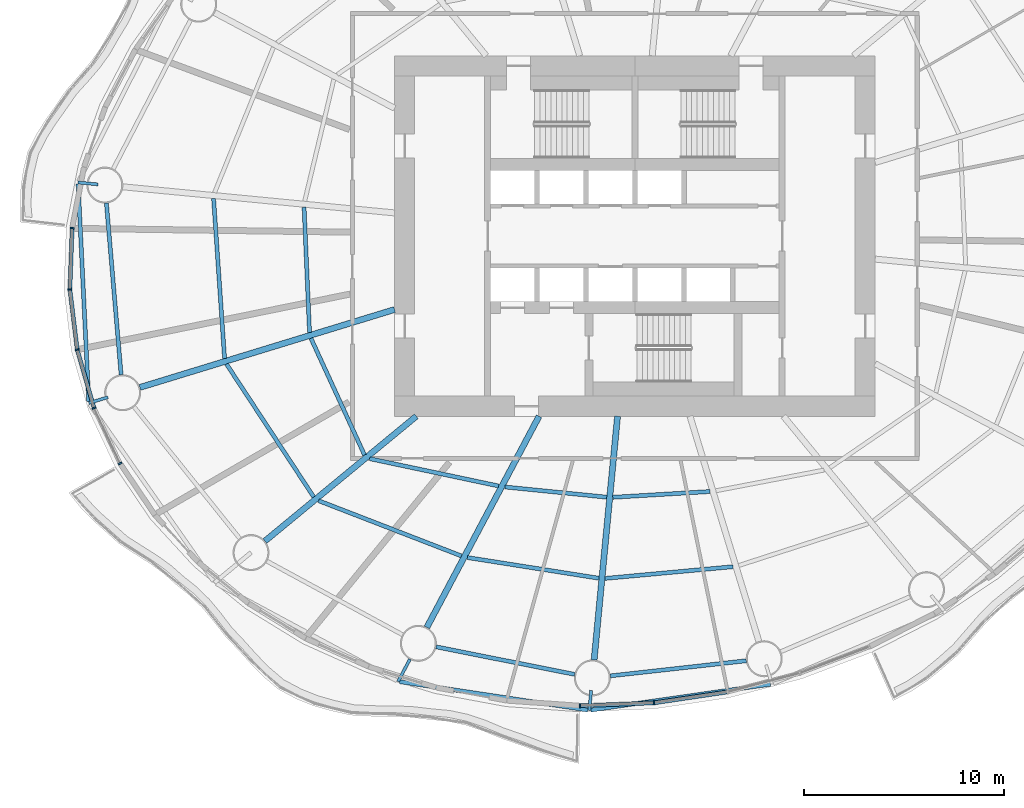
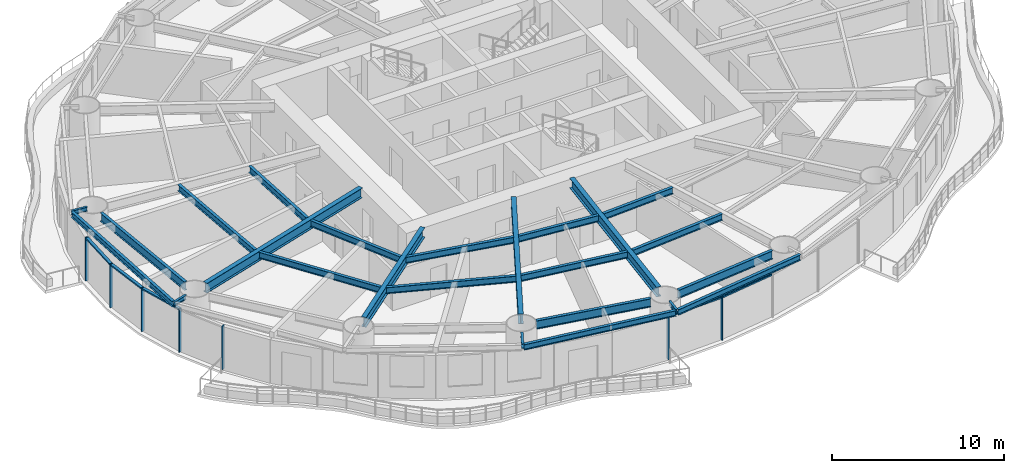
# One storey, part 2 of 16: 24 beams, 12 members, 6 elements without a shape of their own.
"""IFC4 building model written with IfcOpenShell, lengths in metres."""

from ifc_helpers import new_model, si_unit, direction, frame, origin, origin_2d, place, context, subcontext, project, spatial, rectangle, i_section, extrude, material, material_profile, profile_set, type_object, element, aggregate, save


model = new_model("IFC4")

# Units and contexts
model_context = context("Model", 3, precision=1e-05, world=origin(), true_north=direction((0.0, 1.0)))
body_context = subcontext(model_context, "Body", "Model", "MODEL_VIEW")
ifc_project = project(units=[si_unit("LENGTHUNIT", "METRE"), si_unit("AREAUNIT", "SQUARE_METRE"), si_unit("VOLUMEUNIT", "CUBIC_METRE"), si_unit("PLANEANGLEUNIT", "RADIAN"), si_unit("MASSUNIT", "GRAM", prefix="KILO")], contexts=[model_context])

# Site, building, storey
site_placement = place(None, origin())
site = spatial("IfcSite", under=ifc_project, at=site_placement, CompositionType="ELEMENT")
building_placement = place(site_placement, origin())
building = spatial("IfcBuilding", under=site, at=building_placement, Name="Vermilion Reach Broadcast Tower", CompositionType="ELEMENT")
storey_placement = place(building_placement, frame((0.0, 0.0, 80.39990234375)))
storey = spatial("IfcBuildingStorey", under=building, at=storey_placement, Name="L17", CompositionType="ELEMENT", Elevation=80.39990234375)

# Beams
ifc_material_1 = material(Name="Steel S355J2", Category="steel")
ifc_material_profile_1 = material_profile(ifc_material_1, i_section(OverallWidth=0.199951171875, OverallDepth=0.39990234375, WebThickness=0.008056640625, FlangeThickness=0.012939453125, at=origin_2d()), Name="S355J2 HN 400x200x8x13")
ifc_profile_set_1 = profile_set([ifc_material_profile_1], Name="Steel S355J2")
beam_type_1 = type_object("IfcBeamType", Name="EB1 HN 400x200x8x13", PredefinedType="BEAM", material=ifc_profile_set_1)
beam_1_placement = place(storey_placement, frame((-33.798583984375, 2.596435546875, 3.300048828125), z_axis=(0.048861332348, -0.998805571771, 0.0), x_axis=(0.998805571771, 0.048861332348, 0.0)))
element("IfcBeam", 1, at=beam_1_placement, inside=storey, type_object=beam_type_1, Name="Edge beam EB1-08", PredefinedType="BEAM", context=body_context, shape_type="SweptSolid", body=[
    extrude(i_section(OverallWidth=0.199951171875, OverallDepth=0.39990234375, WebThickness=0.008056640625, FlangeThickness=0.012939453125, at=origin_2d()), origin(), (0.0, 0.0, 1.0), 10.87255859375),
])
beam_2_placement = place(storey_placement, frame((-17.742431640625, -22.253173828125, 3.300048828125), z_axis=(0.988786343187, -0.149337093606, 0.0), x_axis=(0.149337093606, 0.988786343187, 0.0)))
element("IfcBeam", 2, at=beam_2_placement, inside=storey, type_object=beam_type_1, Name="Edge beam EB1-11", PredefinedType="BEAM", context=body_context, shape_type="SweptSolid", body=[
    extrude(i_section(OverallWidth=0.199951171875, OverallDepth=0.39990234375, WebThickness=0.008056640625, FlangeThickness=0.012939453125, at=origin_2d()), origin(), (0.0, 0.0, 1.0), 9.498291015625),
])
beam_3_placement = place(storey_placement, frame((-8.199951171875, -23.671875, 3.300048828125), z_axis=(0.989796952398, 0.142485062457, 0.0), x_axis=(-0.142485062457, 0.989796952398, 0.0)))
element("IfcBeam", 3, at=beam_3_placement, inside=storey, type_object=beam_type_1, Name="Edge beam EB1-12", PredefinedType="BEAM", context=body_context, shape_type="SweptSolid", body=[
    extrude(i_section(OverallWidth=0.199951171875, OverallDepth=0.39990234375, WebThickness=0.008056640625, FlangeThickness=0.012939453125, at=origin_2d()), origin(), (0.0, 0.0, 1.0), 9.060791015625),
])
ifc_material_2 = material(Name="Steel S355J2", Category="steel")
ifc_material_profile_2 = material_profile(ifc_material_2, i_section(OverallWidth=0.300048828125, OverallDepth=0.699951171875, WebThickness=0.012939453125, FlangeThickness=0.02392578125, at=origin_2d()), Name="S355J2 HN 700x300x13x24")
ifc_profile_set_2 = profile_set([ifc_material_profile_2], Name="Steel S355J2")
beam_type_2 = type_object("IfcBeamType", Name="G1 HN 700x300x13x24", PredefinedType="BEAM", material=ifc_profile_set_2)
beam_4_placement = place(storey_placement, frame((-18.0, -3.671142578125, 3.150146484375), z_axis=(-0.956255735186, -0.292531996409, 0.0), x_axis=(0.292531996409, -0.956255735186, 0.0)))
element("IfcBeam", 4, at=beam_4_placement, inside=storey, type_object=beam_type_2, Name="Girder G1-09", PredefinedType="BEAM", context=body_context, shape_type="SweptSolid", body=[
    extrude(i_section(OverallWidth=0.300048828125, OverallDepth=0.699951171875, WebThickness=0.012939453125, FlangeThickness=0.02392578125, at=origin_2d()), origin(), (0.0, 0.0, 1.0), 13.29638671875),
])
beam_5_placement = place(storey_placement, frame((-16.9140625, -9.0, 3.150146484375), z_axis=(-0.771514256373, -0.636212034005, 0.0), x_axis=(0.636212034005, -0.771514256373, 0.0)))
element("IfcBeam", 5, at=beam_5_placement, inside=storey, type_object=beam_type_2, Name="Girder G1-10", PredefinedType="BEAM", context=body_context, shape_type="SweptSolid", body=[
    extrude(i_section(OverallWidth=0.300048828125, OverallDepth=0.699951171875, WebThickness=0.012939453125, FlangeThickness=0.02392578125, at=origin_2d()), origin(), (0.0, 0.0, 1.0), 9.796142578125),
])
beam_6_placement = place(storey_placement, frame((-10.783447265625, -9.0, 3.150146484375), z_axis=(-0.469312182262, -0.883032318537, 0.0), x_axis=(0.883032318537, -0.469312182262, 0.0)))
element("IfcBeam", 6, at=beam_6_placement, inside=storey, type_object=beam_type_2, Name="Girder G1-11", PredefinedType="BEAM", context=body_context, shape_type="SweptSolid", body=[
    extrude(i_section(OverallWidth=0.300048828125, OverallDepth=0.699951171875, WebThickness=0.012939453125, FlangeThickness=0.02392578125, at=origin_2d()), origin(), (0.0, 0.0, 1.0), 11.94091796875),
])
beam_7_placement = place(storey_placement, frame((-6.864990234375, -9.0, 3.150146484375), z_axis=(-0.09566673912, -0.995413419151, 0.0), x_axis=(0.995413419151, -0.09566673912, 0.0)))
element("IfcBeam", 7, at=beam_7_placement, inside=storey, type_object=beam_type_2, Name="Girder G1-12", PredefinedType="BEAM", context=body_context, shape_type="SweptSolid", body=[
    extrude(i_section(OverallWidth=0.300048828125, OverallDepth=0.699951171875, WebThickness=0.012939453125, FlangeThickness=0.02392578125, at=origin_2d()), origin(), (0.0, 0.0, 1.0), 12.22412109375),
])
ifc_material_3 = material(Name="Steel S355J2", Category="steel")
ifc_material_profile_3 = material_profile(ifc_material_3, i_section(OverallWidth=0.14990234375, OverallDepth=0.300048828125, WebThickness=0.006591796875, FlangeThickness=0.009033203125, at=origin_2d()), Name="S355J2 HN 300x150x6.5x9")
ifc_profile_set_3 = profile_set([ifc_material_profile_3], Name="Steel S355J2")
beam_type_3 = type_object("IfcBeamType", Name="GS1 HN 300x150x6.5x9", PredefinedType="BEAM", material=ifc_profile_set_3)
beam_8_placement = place(storey_placement, frame((-32.806884765625, 2.576416015625, 3.35009765625), z_axis=(-0.995411712034, 0.095684500029, 0.0), x_axis=(-0.095684500029, -0.995411712034, 0.0)))
element("IfcBeam", 8, at=beam_8_placement, inside=storey, type_object=beam_type_3, Name="Cantilever stub GS1-08", PredefinedType="BEAM", context=body_context, shape_type="SweptSolid", body=[
    extrude(i_section(OverallWidth=0.14990234375, OverallDepth=0.300048828125, WebThickness=0.006591796875, FlangeThickness=0.009033203125, at=origin_2d()), origin(), (0.0, 0.0, 1.0), 1.000244140625),
])
beam_9_placement = place(storey_placement, frame((-32.307373046875, -8.048095703125, 3.35009765625), z_axis=(-0.95627383467, -0.292472824594, 0.0), x_axis=(0.292472824594, -0.95627383467, 0.0)))
element("IfcBeam", 9, at=beam_9_placement, inside=storey, type_object=beam_type_3, Name="Cantilever stub GS1-09", PredefinedType="BEAM", context=body_context, shape_type="SweptSolid", body=[
    extrude(i_section(OverallWidth=0.14990234375, OverallDepth=0.300048828125, WebThickness=0.006591796875, FlangeThickness=0.009033203125, at=origin_2d()), origin(), (0.0, 0.0, 1.0), 1.0),
])
beam_10_placement = place(storey_placement, frame((-17.232177734375, -21.1337890625, 3.35009765625), z_axis=(-0.469416078172, -0.882977092315, 0.0), x_axis=(0.882977092315, -0.469416078172, 0.0)))
element("IfcBeam", 10, at=beam_10_placement, inside=storey, type_object=beam_type_3, Name="Cantilever stub GS1-11", PredefinedType="BEAM", context=body_context, shape_type="SweptSolid", body=[
    extrude(i_section(OverallWidth=0.14990234375, OverallDepth=0.300048828125, WebThickness=0.006591796875, FlangeThickness=0.009033203125, at=origin_2d()), origin(), (0.0, 0.0, 1.0), 1.25439453125),
])
beam_11_placement = place(storey_placement, frame((-8.1806640625, -22.6875, 3.35009765625), z_axis=(-0.095465829939, -0.995432707577, 0.0), x_axis=(0.995432707577, -0.095465829939, 0.0)))
element("IfcBeam", 11, at=beam_11_placement, inside=storey, type_object=beam_type_3, Name="Cantilever stub GS1-12", PredefinedType="BEAM", context=body_context, shape_type="SweptSolid", body=[
    extrude(i_section(OverallWidth=0.14990234375, OverallDepth=0.300048828125, WebThickness=0.006591796875, FlangeThickness=0.009033203125, at=origin_2d()), origin(), (0.0, 0.0, 1.0), 1.0),
])
ifc_material_4 = material(Name="Steel S355J2", Category="steel")
ifc_material_profile_4 = material_profile(ifc_material_4, i_section(OverallWidth=0.199951171875, OverallDepth=0.60009765625, WebThickness=0.010986328125, FlangeThickness=0.01708984375, at=origin_2d()), Name="S355J2 HN 600x200x11x17")
ifc_profile_set_4 = profile_set([ifc_material_profile_4], Name="Steel S355J2")
beam_type_4 = type_object("IfcBeamType", Name="RB1 HN 600x200x11x17", PredefinedType="BEAM", material=ifc_profile_set_4)
beam_12_placement = place(storey_placement, frame((-32.38720703125, 1.646728515625, 3.2001953125), z_axis=(0.085395508608, -0.996347131832, 0.0), x_axis=(0.996347131832, 0.085395508608, 0.0)))
element("IfcBeam", 12, at=beam_12_placement, inside=storey, type_object=beam_type_4, Name="Ring beam RB1-08", PredefinedType="BEAM", context=body_context, shape_type="SweptSolid", body=[
    extrude(i_section(OverallWidth=0.199951171875, OverallDepth=0.60009765625, WebThickness=0.010986328125, FlangeThickness=0.01708984375, at=origin_2d()), origin(), (0.0, 0.0, 1.0), 8.60546875),
])
beam_13_placement = place(storey_placement, frame((-15.927001953125, -20.51416015625, 3.2001953125), z_axis=(0.980857717995, -0.194725799651, 0.0), x_axis=(0.194725799651, 0.980857717995, 0.0)))
element("IfcBeam", 13, at=beam_13_placement, inside=storey, type_object=beam_type_4, Name="Ring beam RB1-11", PredefinedType="BEAM", context=body_context, shape_type="SweptSolid", body=[
    extrude(i_section(OverallWidth=0.199951171875, OverallDepth=0.60009765625, WebThickness=0.010986328125, FlangeThickness=0.01708984375, at=origin_2d()), origin(), (0.0, 0.0, 1.0), 7.05859375),
])
beam_14_placement = place(storey_placement, frame((-7.22607421875, -21.964111328125, 3.2001953125), z_axis=(0.993851439324, 0.110721798009, 0.0), x_axis=(-0.110721798009, 0.993851439324, 0.0)))
element("IfcBeam", 14, at=beam_14_placement, inside=storey, type_object=beam_type_4, Name="Ring beam RB1-12", PredefinedType="BEAM", context=body_context, shape_type="SweptSolid", body=[
    extrude(i_section(OverallWidth=0.199951171875, OverallDepth=0.60009765625, WebThickness=0.010986328125, FlangeThickness=0.01708984375, at=origin_2d()), origin(), (0.0, 0.0, 1.0), 6.8310546875),
])
ifc_material_5 = material(Name="Steel S355J2", Category="steel")
ifc_material_profile_5 = material_profile(ifc_material_5, i_section(OverallWidth=0.199951171875, OverallDepth=0.449951171875, WebThickness=0.009033203125, FlangeThickness=0.013916015625, at=origin_2d()), Name="S355J2 HN 450x200x9x14")
ifc_profile_set_5 = profile_set([ifc_material_profile_5], Name="Steel S355J2")
beam_type_5 = type_object("IfcBeamType", Name="SB1 HN 450x200x9x14", PredefinedType="BEAM", material=ifc_profile_set_5)
beam_15_placement = place(storey_placement, frame((-22.51611328125, 1.436767578125, 3.275146484375), z_axis=(0.043361007512, -0.999059469215, 0.0), x_axis=(0.999059469215, 0.043361007512, 0.0)))
element("IfcBeam", 15, at=beam_15_placement, inside=storey, type_object=beam_type_5, Name="Secondary beam SB1-08-1", PredefinedType="BEAM", context=body_context, shape_type="SweptSolid", body=[
    extrude(i_section(OverallWidth=0.199951171875, OverallDepth=0.449951171875, WebThickness=0.009033203125, FlangeThickness=0.013916015625, at=origin_2d()), origin(), (0.0, 0.0, 1.0), 6.25537109375),
])
beam_16_placement = place(storey_placement, frame((-27.03515625, 1.87109375, 3.275146484375), z_axis=(0.068507801475, -0.997650580683, 0.0), x_axis=(0.997650580683, 0.068507801475, 0.0)))
element("IfcBeam", 16, at=beam_16_placement, inside=storey, type_object=beam_type_5, Name="Secondary beam SB1-08-2", PredefinedType="BEAM", context=body_context, shape_type="SweptSolid", body=[
    extrude(i_section(OverallWidth=0.199951171875, OverallDepth=0.449951171875, WebThickness=0.009033203125, FlangeThickness=0.013916015625, at=origin_2d()), origin(), (0.0, 0.0, 1.0), 8.00048828125),
])
beam_17_placement = place(storey_placement, frame((-22.175048828125, -5.105224609375, 3.275146484375), z_axis=(0.417211452529, -0.908809443106, 0.0), x_axis=(0.908809443106, 0.417211452529, 0.0)))
element("IfcBeam", 17, at=beam_17_placement, inside=storey, type_object=beam_type_5, Name="Secondary beam SB1-09-1", PredefinedType="BEAM", context=body_context, shape_type="SweptSolid", body=[
    extrude(i_section(OverallWidth=0.199951171875, OverallDepth=0.449951171875, WebThickness=0.009033203125, FlangeThickness=0.013916015625, at=origin_2d()), origin(), (0.0, 0.0, 1.0), 6.41650390625),
])
beam_18_placement = place(storey_placement, frame((-26.390625, -6.394775390625, 3.275146484375), z_axis=(0.548800909102, -0.835953086105, 0.0), x_axis=(0.835953086105, 0.548800909102, 0.0)))
element("IfcBeam", 18, at=beam_18_placement, inside=storey, type_object=beam_type_5, Name="Secondary beam SB1-09-2", PredefinedType="BEAM", context=body_context, shape_type="SweptSolid", body=[
    extrude(i_section(OverallWidth=0.199951171875, OverallDepth=0.449951171875, WebThickness=0.009033203125, FlangeThickness=0.013916015625, at=origin_2d()), origin(), (0.0, 0.0, 1.0), 7.935791015625),
])
beam_19_placement = place(storey_placement, frame((-19.24560546875, -11.1171875, 3.275146484375), z_axis=(0.978270372412, -0.207333254596, 0.0), x_axis=(0.207333254596, 0.978270372412, 0.0)))
element("IfcBeam", 19, at=beam_19_placement, inside=storey, type_object=beam_type_5, Name="Secondary beam SB1-10-1", PredefinedType="BEAM", context=body_context, shape_type="SweptSolid", body=[
    extrude(i_section(OverallWidth=0.199951171875, OverallDepth=0.449951171875, WebThickness=0.009033203125, FlangeThickness=0.013916015625, at=origin_2d()), origin(), (0.0, 0.0, 1.0), 6.584716796875),
])
beam_20_placement = place(storey_placement, frame((-21.7919921875, -13.217041015625, 3.275146484375), z_axis=(0.932680743753, -0.360702966765, 0.0), x_axis=(0.360702966765, 0.932680743753, 0.0)))
element("IfcBeam", 20, at=beam_20_placement, inside=storey, type_object=beam_type_5, Name="Secondary beam SB1-10-2", PredefinedType="BEAM", context=body_context, shape_type="SweptSolid", body=[
    extrude(i_section(OverallWidth=0.199951171875, OverallDepth=0.449951171875, WebThickness=0.009033203125, FlangeThickness=0.013916015625, at=origin_2d()), origin(), (0.0, 0.0, 1.0), 7.646240234375),
])
beam_21_placement = place(storey_placement, frame((-12.490234375, -12.531005859375, 3.275146484375), z_axis=(0.995010199331, -0.099773259079, 0.0), x_axis=(0.099773259079, 0.995010199331, 0.0)))
element("IfcBeam", 21, at=beam_21_placement, inside=storey, type_object=beam_type_5, Name="Secondary beam SB1-11-1", PredefinedType="BEAM", context=body_context, shape_type="SweptSolid", body=[
    extrude(i_section(OverallWidth=0.199951171875, OverallDepth=0.449951171875, WebThickness=0.009033203125, FlangeThickness=0.013916015625, at=origin_2d()), origin(), (0.0, 0.0, 1.0), 5.111572265625),
])
beam_22_placement = place(storey_placement, frame((-14.36279296875, -16.05419921875, 3.275146484375), z_axis=(0.987829548379, -0.155540294938, 0.0), x_axis=(0.155540294938, 0.987829548379, 0.0)))
element("IfcBeam", 22, at=beam_22_placement, inside=storey, type_object=beam_type_5, Name="Secondary beam SB1-11-2", PredefinedType="BEAM", context=body_context, shape_type="SweptSolid", body=[
    extrude(i_section(OverallWidth=0.199951171875, OverallDepth=0.449951171875, WebThickness=0.009033203125, FlangeThickness=0.013916015625, at=origin_2d()), origin(), (0.0, 0.0, 1.0), 6.650634765625),
])
beam_23_placement = place(storey_placement, frame((-7.103271484375, -13.046875, 3.275146484375), z_axis=(0.99823410974, 0.059402543307, 0.0), x_axis=(-0.059402543307, 0.99823410974, 0.0)))
element("IfcBeam", 23, at=beam_23_placement, inside=storey, type_object=beam_type_5, Name="Secondary beam SB1-12-1", PredefinedType="BEAM", context=body_context, shape_type="SweptSolid", body=[
    extrude(i_section(OverallWidth=0.199951171875, OverallDepth=0.449951171875, WebThickness=0.009033203125, FlangeThickness=0.013916015625, at=origin_2d()), origin(), (0.0, 0.0, 1.0), 4.85791015625),
])
beam_24_placement = place(storey_placement, frame((-7.49267578125, -17.09814453125, 3.275146484375), z_axis=(0.995818616382, 0.091352521952, 0.0), x_axis=(-0.091352521952, 0.995818616382, 0.0)))
element("IfcBeam", 24, at=beam_24_placement, inside=storey, type_object=beam_type_5, Name="Secondary beam SB1-12-2", PredefinedType="BEAM", context=body_context, shape_type="SweptSolid", body=[
    extrude(i_section(OverallWidth=0.199951171875, OverallDepth=0.449951171875, WebThickness=0.009033203125, FlangeThickness=0.013916015625, at=origin_2d()), origin(), (0.0, 0.0, 1.0), 6.4140625),
])

# Curtain wall, member
ifc_material_6 = material(Name="Low-e laminated clear glass in aluminium frame", Category="aluminium")
curtain_wall_type = type_object("IfcCurtainWallType", Name="Slot curtain wall", PredefinedType="NOTDEFINED", material=ifc_material_6)
placement = place(storey_placement, origin())
curtain_wall_1 = element("IfcCurtainWall", 25, at=placement, inside=storey, type_object=curtain_wall_type, Name="Slot curtain wall L17 22", PredefinedType="NOTDEFINED")
ifc_material_7 = material(Name="Anodised aluminium", Category="aluminium")
ifc_material_profile_6 = material_profile(ifc_material_7, rectangle(XDim=0.199951171875, YDim=0.080078125, at=origin_2d()), Name="Slot mullion 80 x 200")
ifc_profile_set_6 = profile_set([ifc_material_profile_6], Name="Anodised aluminium")
member_type_1 = type_object("IfcMemberType", Name="Slot mullion 80 x 200", PredefinedType="MULLION", material=ifc_profile_set_6)
member_1_placement = place(storey_placement, frame((-34.097412109375, 0.393798828125, 0.0), z_axis=(0.0, 0.0, 1.0), x_axis=(0.993465879785, -0.114129512845, 0.0)))
member_1 = element("IfcMember", 26, at=member_1_placement, type_object=member_type_1, Name="Slot mullion L17 22", PredefinedType="MULLION", context=body_context, shape_type="SweptSolid", body=[
    extrude(rectangle(XDim=0.199951171875, YDim=0.080078125, at=origin_2d()), origin(), (0.0, 0.0, 1.0), 3.10009765625),
])

curtain_wall_2 = element("IfcCurtainWall", 27, at=placement, inside=storey, type_object=curtain_wall_type, Name="Slot curtain wall L17 23", PredefinedType="NOTDEFINED")
member_2_placement = place(storey_placement, frame((-34.2109375, -2.663818359375, 0.0), z_axis=(0.0, 0.0, 1.0), x_axis=(0.99911467771, 0.042069713381, 0.0)))
member_2 = element("IfcMember", 28, at=member_2_placement, type_object=member_type_1, Name="Slot mullion L17 23", PredefinedType="MULLION", context=body_context, shape_type="SweptSolid", body=[
    extrude(rectangle(XDim=0.199951171875, YDim=0.080078125, at=origin_2d()), origin(), (0.0, 0.0, 1.0), 3.10009765625),
])

curtain_wall_3 = element("IfcCurtainWall", 29, at=placement, inside=storey, type_object=curtain_wall_type, Name="Slot curtain wall L17 24", PredefinedType="NOTDEFINED")
member_3_placement = place(storey_placement, frame((-33.843994140625, -5.675048828125, 0.0), z_axis=(0.0, 0.0, 1.0), x_axis=(0.97985507938, 0.199709848062, 0.0)))
member_3 = element("IfcMember", 30, at=member_3_placement, type_object=member_type_1, Name="Slot mullion L17 24", PredefinedType="MULLION", context=body_context, shape_type="SweptSolid", body=[
    extrude(rectangle(XDim=0.199951171875, YDim=0.080078125, at=origin_2d()), origin(), (0.0, 0.0, 1.0), 3.10009765625),
])

# Curtain wall, members
curtain_wall_4 = element("IfcCurtainWall", 31, at=placement, inside=storey, type_object=curtain_wall_type, Name="Slot curtain wall L17 25", PredefinedType="NOTDEFINED")
member_4_placement = place(storey_placement, frame((-33.003173828125, -8.58984375, 0.0), z_axis=(0.0, 0.0, 1.0), x_axis=(0.935882096668, 0.352313356455, 0.0)))
member_4 = element("IfcMember", 32, at=member_4_placement, type_object=member_type_1, Name="Slot mullion L17 25", PredefinedType="MULLION", context=body_context, shape_type="SweptSolid", body=[
    extrude(rectangle(XDim=0.199951171875, YDim=0.080078125, at=origin_2d()), origin(), (0.0, 0.0, 1.0), 3.10009765625),
])
member_5_placement = place(storey_placement, frame((-31.7021484375, -11.35888671875, 0.0), z_axis=(0.0, 0.0, 1.0), x_axis=(0.869551556371, 0.493842171967, 0.0)))
member_5 = element("IfcMember", 33, at=member_5_placement, type_object=member_type_1, Name="Slot mullion L17 26", PredefinedType="MULLION", context=body_context, shape_type="SweptSolid", body=[
    extrude(rectangle(XDim=0.199951171875, YDim=0.080078125, at=origin_2d()), origin(), (0.0, 0.0, 1.0), 3.10009765625),
])
aggregate(curtain_wall_4, [member_4, member_5])

# Curtain wall, member
curtain_wall_5 = element("IfcCurtainWall", 34, at=placement, inside=storey, type_object=curtain_wall_type, Name="Slot curtain wall L17 34", PredefinedType="NOTDEFINED")
member_6_placement = place(storey_placement, frame((-8.73876953125, -23.456298828125, 0.0), z_axis=(0.0, 0.0, 1.0), x_axis=(0.015375744911, 0.999881786247, 0.0)))
member_6 = element("IfcMember", 35, at=member_6_placement, type_object=member_type_1, Name="Slot mullion L17 34", PredefinedType="MULLION", context=body_context, shape_type="SweptSolid", body=[
    extrude(rectangle(XDim=0.199951171875, YDim=0.080078125, at=origin_2d()), origin(), (0.0, 0.0, 1.0), 3.10009765625),
])

curtain_wall_6 = element("IfcCurtainWall", 36, at=placement, inside=storey, type_object=curtain_wall_type, Name="Slot curtain wall L17 35", PredefinedType="NOTDEFINED")
member_7_placement = place(storey_placement, frame((-5.04150390625, -23.31005859375, 0.0), z_axis=(0.0, 0.0, 1.0), x_axis=(-0.093310108716, 0.995637094333, 0.0)))
member_7 = element("IfcMember", 37, at=member_7_placement, type_object=member_type_1, Name="Slot mullion L17 35", PredefinedType="MULLION", context=body_context, shape_type="SweptSolid", body=[
    extrude(rectangle(XDim=0.199951171875, YDim=0.080078125, at=origin_2d()), origin(), (0.0, 0.0, 1.0), 3.10009765625),
])

# Member
ifc_material_8 = material(Name="Anodised aluminium", Category="aluminium")
ifc_material_profile_7 = material_profile(ifc_material_8, rectangle(XDim=0.199951171875, YDim=0.10009765625, at=origin_2d()), Name="Slot transom 200 x 100")
ifc_profile_set_7 = profile_set([ifc_material_profile_7], Name="Anodised aluminium")
member_type_2 = type_object("IfcMemberType", Name="Slot transom 200 x 100", PredefinedType="USERDEFINED", material=ifc_profile_set_7)
member_8_placement = place(storey_placement, frame((-34.09912109375, 0.353759765625, 3.050048828125), z_axis=(-0.037035905121, -0.999313935524, 0.0), x_axis=(0.999313935524, -0.037035905121, 0.0)))
member_8 = element("IfcMember", 38, at=member_8_placement, type_object=member_type_2, Name="Slot transom L17 22.1", ObjectType="TRANSOM", PredefinedType="USERDEFINED", context=body_context, shape_type="SweptSolid", body=[
    extrude(rectangle(XDim=0.199951171875, YDim=0.10009765625, at=origin_2d()), origin(), (0.0, 0.0, 1.0), 2.9794921875),
])

aggregate(curtain_wall_1, [member_1, member_8])

member_9_placement = place(storey_placement, frame((-34.2060546875, -2.703369140625, 3.050048828125), z_axis=(0.12093120845, -0.992660890145, 0.0), x_axis=(0.992660890145, 0.12093120845, 0.0)))
member_9 = element("IfcMember", 39, at=member_9_placement, type_object=member_type_2, Name="Slot transom L17 23.1", ObjectType="TRANSOM", PredefinedType="USERDEFINED", context=body_context, shape_type="SweptSolid", body=[
    extrude(rectangle(XDim=0.199951171875, YDim=0.10009765625, at=origin_2d()), origin(), (0.0, 0.0, 1.0), 2.95361328125),
])

aggregate(curtain_wall_2, [member_2, member_9])

member_10_placement = place(storey_placement, frame((-33.8330078125, -5.71337890625, 3.050048828125), z_axis=(0.277231088081, -0.960803270083, 0.0), x_axis=(0.960803270083, 0.277231088081, 0.0)))
member_10 = element("IfcMember", 40, at=member_10_placement, type_object=member_type_2, Name="Slot transom L17 24.1", ObjectType="TRANSOM", PredefinedType="USERDEFINED", context=body_context, shape_type="SweptSolid", body=[
    extrude(rectangle(XDim=0.199951171875, YDim=0.10009765625, at=origin_2d()), origin(), (0.0, 0.0, 1.0), 2.95361328125),
])

aggregate(curtain_wall_3, [member_3, member_10])

member_11_placement = place(storey_placement, frame((-8.69873046875, -23.45458984375, 3.050048828125), z_axis=(0.999221403661, 0.039453598889, 0.0), x_axis=(-0.039453598889, 0.999221403661, 0.0)))
member_11 = element("IfcMember", 41, at=member_11_placement, type_object=member_type_2, Name="Slot transom L17 34.1", ObjectType="TRANSOM", PredefinedType="USERDEFINED", context=body_context, shape_type="SweptSolid", body=[
    extrude(rectangle(XDim=0.199951171875, YDim=0.10009765625, at=origin_2d()), origin(), (0.0, 0.0, 1.0), 3.6201171875),
])

aggregate(curtain_wall_5, [member_6, member_11])

member_12_placement = place(storey_placement, frame((-5.001953125, -23.30419921875, 3.050048828125), z_axis=(0.989162387444, 0.146825649214, 0.0), x_axis=(-0.146825649214, 0.989162387444, 0.0)))
member_12 = element("IfcMember", 42, at=member_12_placement, type_object=member_type_2, Name="Slot transom L17 35.1", ObjectType="TRANSOM", PredefinedType="USERDEFINED", context=body_context, shape_type="SweptSolid", body=[
    extrude(rectangle(XDim=0.199951171875, YDim=0.10009765625, at=origin_2d()), origin(), (0.0, 0.0, 1.0), 3.6416015625),
])

aggregate(curtain_wall_6, [member_7, member_12])

save(model, "model.ifc")
